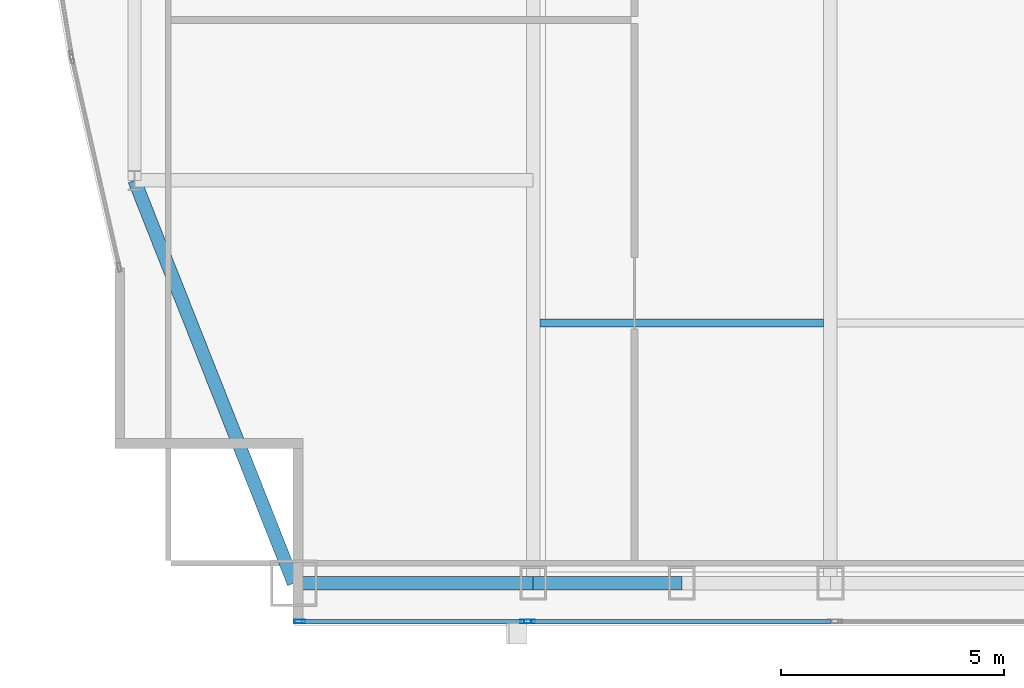
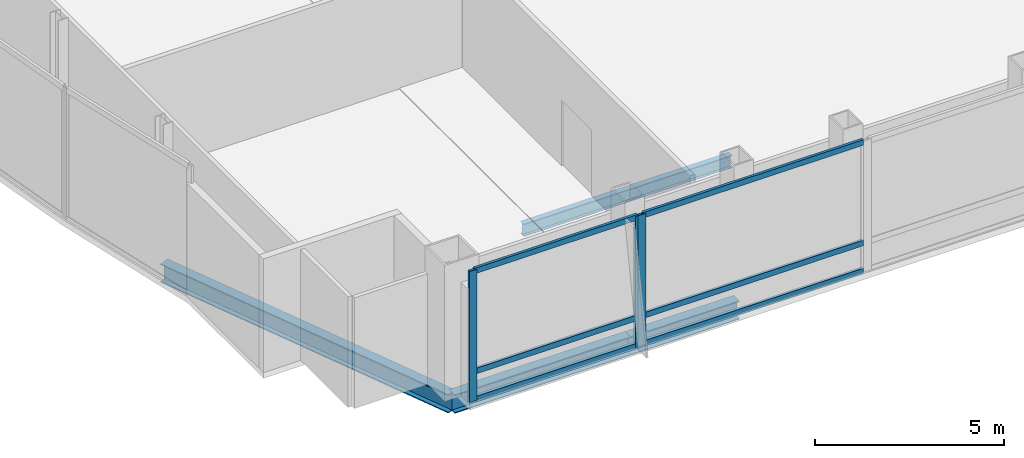
# One storey, part 5 of 28: 9 members, 4 beams, 2 elements without a shape of their own.
"""IFC4 building model written with IfcOpenShell, lengths in metres."""

from ifc_helpers import new_model, si_unit, direction, frame, origin, origin_2d, place, context, subcontext, project, spatial, hollow_rectangle, i_section, extrude, material, material_profile, profile_set, type_object, element, aggregate, save


model = new_model("IFC4")

# Units and contexts
model_context = context("Model", 3, precision=1e-05, world=origin(), true_north=direction((0.0, 1.0)))
body_context = subcontext(model_context, "Body", "Model", "MODEL_VIEW")
ifc_project = project(units=[si_unit("LENGTHUNIT", "METRE"), si_unit("AREAUNIT", "SQUARE_METRE"), si_unit("VOLUMEUNIT", "CUBIC_METRE"), si_unit("PLANEANGLEUNIT", "RADIAN"), si_unit("MASSUNIT", "GRAM", prefix="KILO")], contexts=[model_context])

# Site, building, storey
site_placement = place(None, origin())
site = spatial("IfcSite", under=ifc_project, at=site_placement, CompositionType="ELEMENT")
building_placement = place(site_placement, origin())
building = spatial("IfcBuilding", under=site, at=building_placement, Name="Khoronbel Lancet Exchange", CompositionType="ELEMENT")
storey_placement = place(building_placement, frame((0.0, 0.0, 265.39990234375)))
storey = spatial("IfcBuildingStorey", under=building, at=storey_placement, Name="L68", CompositionType="ELEMENT", Elevation=265.39990234375)

# Beams
ifc_material_1 = material(Name="Steel S355", Category="steel")
ifc_material_profile_1 = material_profile(ifc_material_1, i_section(OverallWidth=0.179931640625, OverallDepth=0.39990234375, WebThickness=0.008544921875, FlangeThickness=0.013427734375, at=origin_2d()), Name="IPE 400")
ifc_profile_set_1 = profile_set([ifc_material_profile_1], Name="Steel S355")
beam_type_1 = type_object("IfcBeamType", Name="BM-BJ5", PredefinedType="JOIST", material=ifc_profile_set_1)
beam_1_placement = place(storey_placement, frame((18.375, 16.0, -0.39990234375), z_axis=(1.0, 0.0, 0.0), x_axis=(0.0, 1.0, 0.0)))
element("IfcBeam", 1, at=beam_1_placement, inside=storey, type_object=beam_type_1, Name="Level L68 secondary composite joist J01", PredefinedType="JOIST", context=body_context, shape_type="SweptSolid", body=[
    extrude(i_section(OverallWidth=0.179931640625, OverallDepth=0.39990234375, WebThickness=0.008544921875, FlangeThickness=0.013427734375, at=origin_2d()), origin(), (0.0, 0.0, 1.0), 6.375),
])
ifc_material_profile_2 = material_profile(ifc_material_1, i_section(OverallWidth=0.300048828125, OverallDepth=0.60009765625, WebThickness=0.015380859375, FlangeThickness=0.030029296875, at=origin_2d()), Name="HEB 600")
ifc_profile_set_2 = profile_set([ifc_material_profile_2], Name="Steel S355")
beam_type_2 = type_object("IfcBeamType", Name="BM-BSP2", PredefinedType="SPANDREL", material=ifc_profile_set_2)
beam_2_placement = place(storey_placement, frame((12.85009765625, 10.14990234375, -0.5), z_axis=(1.0, 0.0, 0.0), x_axis=(0.0, 1.0, 0.0)))
element("IfcBeam", 2, at=beam_2_placement, inside=storey, type_object=beam_type_2, Name="Level L68 perimeter spandrel beam SP01", PredefinedType="SPANDREL", context=body_context, shape_type="SweptSolid", body=[
    extrude(i_section(OverallWidth=0.300048828125, OverallDepth=0.60009765625, WebThickness=0.015380859375, FlangeThickness=0.030029296875, at=origin_2d()), origin(), (0.0, 0.0, 1.0), 5.375),
])
beam_3_placement = place(storey_placement, frame((18.22509765625, 10.14990234375, -0.5), z_axis=(1.0, 0.0, 0.0), x_axis=(0.0, 1.0, 0.0)))
element("IfcBeam", 3, at=beam_3_placement, inside=storey, type_object=beam_type_2, Name="Level L68 perimeter spandrel beam SP02", PredefinedType="SPANDREL", context=body_context, shape_type="SweptSolid", body=[
    extrude(i_section(OverallWidth=0.300048828125, OverallDepth=0.60009765625, WebThickness=0.015380859375, FlangeThickness=0.030029296875, at=origin_2d()), origin(), (0.0, 0.0, 1.0), 3.33740234375),
])
beam_4_placement = place(storey_placement, frame((9.27001953125, 19.199951171875, -0.5), z_axis=(0.367850095026, -0.92988510451, 0.0), x_axis=(0.92988510451, 0.367850095026, 0.0)))
element("IfcBeam", 4, at=beam_4_placement, inside=storey, type_object=beam_type_2, Name="Level L68 perimeter spandrel beam SP21", PredefinedType="SPANDREL", context=body_context, shape_type="SweptSolid", body=[
    extrude(i_section(OverallWidth=0.300048828125, OverallDepth=0.60009765625, WebThickness=0.015380859375, FlangeThickness=0.030029296875, at=origin_2d()), origin(), (0.0, 0.0, 1.0), 9.732421875),
])

# Curtain wall, members
ifc_material_2 = material(Name="Low-E Solar Control Insulating Glass", Category="glass")
curtain_wall_type = type_object("IfcCurtainWallType", Name="CW-3", PredefinedType="NOTDEFINED", material=ifc_material_2)
curtain_wall_1_placement = place(storey_placement, origin())
curtain_wall_1 = element("IfcCurtainWall", 5, at=curtain_wall_1_placement, inside=storey, type_object=curtain_wall_type, Name="Unitised curtain wall CW-L68-SWV", PredefinedType="NOTDEFINED")
ifc_material_3 = material(Name="Bronze-Anodised Aluminium 6063-T6", Category="aluminium")
ifc_material_profile_3 = material_profile(ifc_material_3, hollow_rectangle(XDim=0.0849609375, YDim=0.239990234375, WallThickness=0.006103515625, at=origin_2d()), Name="ALU MULLION 85x240")
ifc_profile_set_3 = profile_set([ifc_material_profile_3], Name="Bronze-Anodised Aluminium 6063-T6")
member_type_1 = type_object("IfcMemberType", Name="MEM-CWM1", PredefinedType="MULLION", material=ifc_profile_set_3)
member_1_placement = place(storey_placement, frame((12.982421875, 9.2900390625, 0.0), z_axis=(0.0, 0.0, 1.0), x_axis=(0.0, 1.0, 0.0)))
member_1 = element("IfcMember", 6, at=member_1_placement, type_object=member_type_1, Name="CW3 mullion 1", PredefinedType="MULLION", context=body_context, shape_type="SweptSolid", body=[
    extrude(hollow_rectangle(XDim=0.0849609375, YDim=0.239990234375, WallThickness=0.006103515625, at=origin_2d()), origin(), (0.0, 0.0, 1.0), 4.239990234375),
])
member_2_placement = place(storey_placement, frame((18.0576171875, 9.2900390625, 0.0), z_axis=(0.0, 0.0, 1.0), x_axis=(0.0, 1.0, 0.0)))
member_2 = element("IfcMember", 7, at=member_2_placement, type_object=member_type_1, Name="CW3 mullion 2", PredefinedType="MULLION", context=body_context, shape_type="SweptSolid", body=[
    extrude(hollow_rectangle(XDim=0.0849609375, YDim=0.239990234375, WallThickness=0.006103515625, at=origin_2d()), origin(), (0.0, 0.0, 1.0), 4.239990234375),
])

# Curtain wall, member
curtain_wall_2_placement = place(storey_placement, origin())
curtain_wall_2 = element("IfcCurtainWall", 8, at=curtain_wall_2_placement, inside=storey, type_object=curtain_wall_type, Name="Unitised curtain wall CW-L68-SWB", PredefinedType="NOTDEFINED")
member_3_placement = place(storey_placement, frame((18.142578125, 9.2900390625, 0.0), z_axis=(0.0, 0.0, 1.0), x_axis=(0.0, 1.0, 0.0)))
member_3 = element("IfcMember", 9, at=member_3_placement, type_object=member_type_1, Name="CW3 mullion 1", PredefinedType="MULLION", context=body_context, shape_type="SweptSolid", body=[
    extrude(hollow_rectangle(XDim=0.0849609375, YDim=0.239990234375, WallThickness=0.006103515625, at=origin_2d()), origin(), (0.0, 0.0, 1.0), 4.239990234375),
])

# Member
ifc_material_profile_4 = material_profile(ifc_material_3, hollow_rectangle(XDim=0.0849609375, YDim=0.179931640625, WallThickness=0.0048828125, at=origin_2d()), Name="ALU TRANSOM 85x180")
ifc_profile_set_4 = profile_set([ifc_material_profile_4], Name="Bronze-Anodised Aluminium 6063-T6")
member_type_2 = type_object("IfcMemberType", Name="MEM-CWT1", PredefinedType="USERDEFINED", material=ifc_profile_set_4)
member_4_placement = place(storey_placement, frame((13.02490234375, 9.2900390625, 0.04248046875), z_axis=(1.0, 0.0, 0.0), x_axis=(0.0, 1.0, 0.0)))
member_4 = element("IfcMember", 10, at=member_4_placement, type_object=member_type_2, Name="CW3 transom 1.1", ObjectType="TRANSOM", PredefinedType="USERDEFINED", context=body_context, shape_type="SweptSolid", body=[
    extrude(hollow_rectangle(XDim=0.0849609375, YDim=0.179931640625, WallThickness=0.0048828125, at=origin_2d()), origin(), (0.0, 0.0, 1.0), 4.989990234375),
])

member_5_placement = place(storey_placement, frame((13.02490234375, 9.2900390625, 0.9501953125), z_axis=(1.0, 0.0, 0.0), x_axis=(0.0, 1.0, 0.0)))
member_5 = element("IfcMember", 11, at=member_5_placement, type_object=member_type_2, Name="CW3 transom 1.2", ObjectType="TRANSOM", PredefinedType="USERDEFINED", context=body_context, shape_type="SweptSolid", body=[
    extrude(hollow_rectangle(XDim=0.0849609375, YDim=0.179931640625, WallThickness=0.0048828125, at=origin_2d()), origin(), (0.0, 0.0, 1.0), 4.989990234375),
])

member_6_placement = place(storey_placement, frame((13.02490234375, 9.2900390625, 4.197509765625), z_axis=(1.0, 0.0, 0.0), x_axis=(0.0, 1.0, 0.0)))
member_6 = element("IfcMember", 12, at=member_6_placement, type_object=member_type_2, Name="CW3 transom 1.3", ObjectType="TRANSOM", PredefinedType="USERDEFINED", context=body_context, shape_type="SweptSolid", body=[
    extrude(hollow_rectangle(XDim=0.0849609375, YDim=0.179931640625, WallThickness=0.0048828125, at=origin_2d()), origin(), (0.0, 0.0, 1.0), 4.989990234375),
])

aggregate(curtain_wall_1, [member_1, member_2, member_4, member_5, member_6])

member_7_placement = place(storey_placement, frame((18.18505859375, 9.2900390625, 0.04248046875), z_axis=(1.0, 0.0, 0.0), x_axis=(0.0, 1.0, 0.0)))
member_7 = element("IfcMember", 13, at=member_7_placement, type_object=member_type_2, Name="CW3 transom 1.1", ObjectType="TRANSOM", PredefinedType="USERDEFINED", context=body_context, shape_type="SweptSolid", body=[
    extrude(hollow_rectangle(XDim=0.0849609375, YDim=0.179931640625, WallThickness=0.0048828125, at=origin_2d()), origin(), (0.0, 0.0, 1.0), 6.72998046875),
])

member_8_placement = place(storey_placement, frame((18.18505859375, 9.2900390625, 0.9501953125), z_axis=(1.0, 0.0, 0.0), x_axis=(0.0, 1.0, 0.0)))
member_8 = element("IfcMember", 14, at=member_8_placement, type_object=member_type_2, Name="CW3 transom 1.2", ObjectType="TRANSOM", PredefinedType="USERDEFINED", context=body_context, shape_type="SweptSolid", body=[
    extrude(hollow_rectangle(XDim=0.0849609375, YDim=0.179931640625, WallThickness=0.0048828125, at=origin_2d()), origin(), (0.0, 0.0, 1.0), 6.72998046875),
])

member_9_placement = place(storey_placement, frame((18.18505859375, 9.2900390625, 4.197509765625), z_axis=(1.0, 0.0, 0.0), x_axis=(0.0, 1.0, 0.0)))
member_9 = element("IfcMember", 15, at=member_9_placement, type_object=member_type_2, Name="CW3 transom 1.3", ObjectType="TRANSOM", PredefinedType="USERDEFINED", context=body_context, shape_type="SweptSolid", body=[
    extrude(hollow_rectangle(XDim=0.0849609375, YDim=0.179931640625, WallThickness=0.0048828125, at=origin_2d()), origin(), (0.0, 0.0, 1.0), 6.72998046875),
])

aggregate(curtain_wall_2, [member_3, member_7, member_8, member_9])

save(model, "model.ifc")
